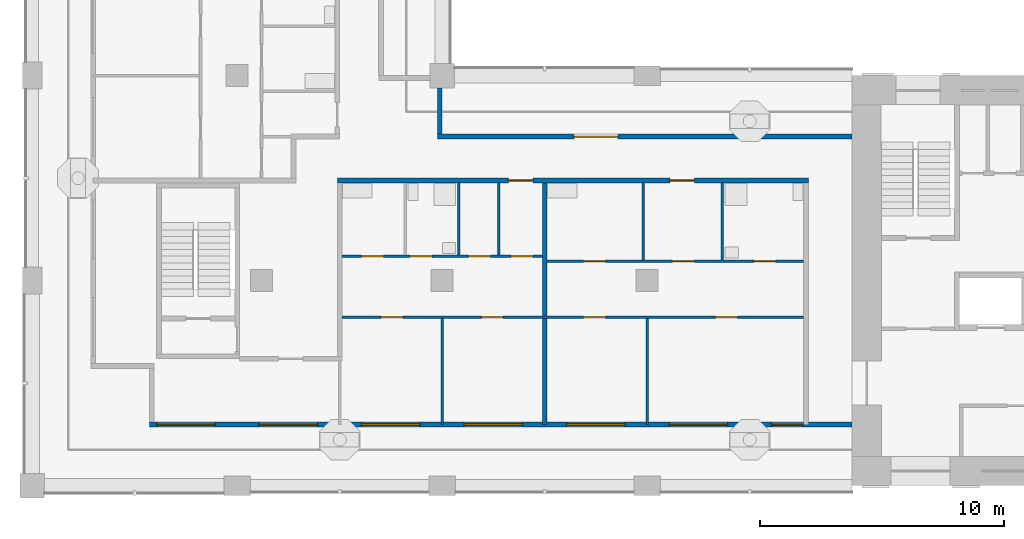
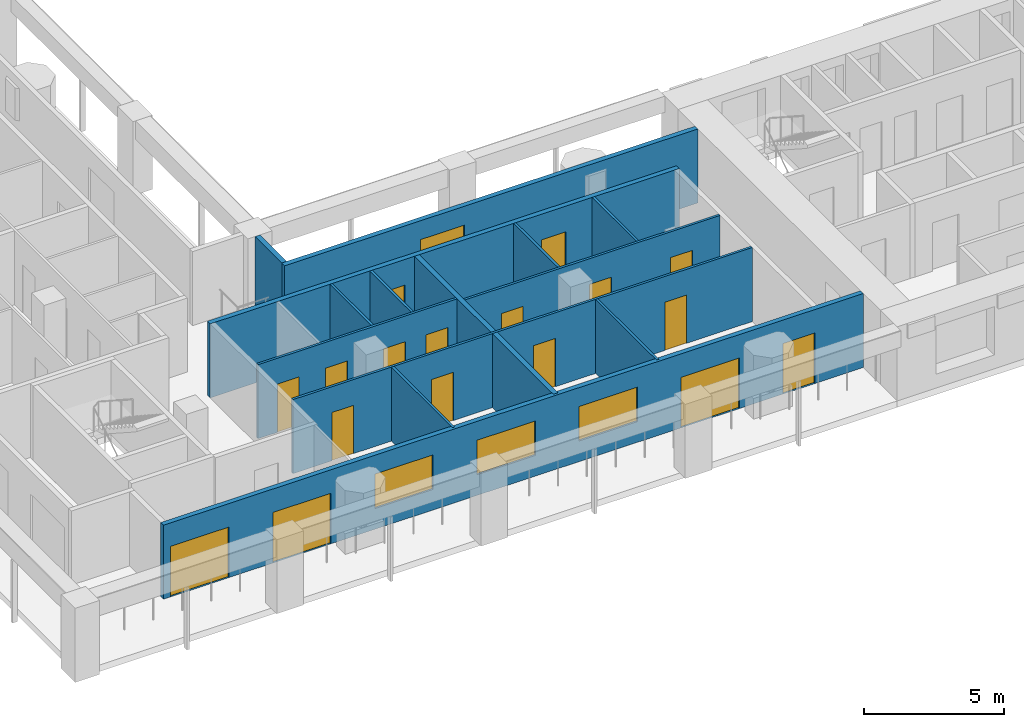
# One storey, part 2 of 12: 18 doors, 14 walls, 3 windows, 21 openings.
"""IFC4 building model written with IfcOpenShell, lengths in metres."""

from ifc_helpers import new_model, si_unit, direction, frame, frame_2d, origin, place, context, subcontext, project, spatial, rectangle, extrude, material, layer, layer_set, type_object, element, fill, save


model = new_model("IFC4")

# Units and contexts
model_context = context("Model", 3, precision=1e-05, world=origin(), true_north=direction((0.0, 1.0)))
body_context = subcontext(model_context, "Body", "Model", "MODEL_VIEW")
ifc_project = project(units=[si_unit("LENGTHUNIT", "METRE"), si_unit("AREAUNIT", "SQUARE_METRE"), si_unit("VOLUMEUNIT", "CUBIC_METRE"), si_unit("PLANEANGLEUNIT", "RADIAN"), si_unit("MASSUNIT", "GRAM", prefix="KILO")], contexts=[model_context])

# Site, building, storey
site_placement = place(None, origin())
site = spatial("IfcSite", under=ifc_project, at=site_placement, CompositionType="ELEMENT")
building_placement = place(site_placement, origin())
building = spatial("IfcBuilding", under=site, at=building_placement, Name="Vermilion Gate Residences", CompositionType="ELEMENT")
storey_placement = place(building_placement, frame((0.0, 0.0, 221.199951171875)))
storey = spatial("IfcBuildingStorey", under=building, at=storey_placement, Name="L57", CompositionType="ELEMENT", Elevation=221.199951171875)

# Wall, openings, doors, windows
ifc_material_1 = material(Name="Insulated steel stud wall with terracotta rainscreen", Category="masonry")
ifc_layer_1 = layer(ifc_material_1, 0.199951171875)
ifc_layer_set_1 = layer_set([ifc_layer_1], Name="EXTERNAL WALL 200 TERRACOTTA RAINSCREEN")
wall_type_1 = type_object("IfcWallType", Name="EXTERNAL WALL 200 TERRACOTTA RAINSCREEN", PredefinedType="SOLIDWALL", material=ifc_layer_set_1)
wall_1_placement = place(storey_placement, frame((13.199951171875, 10.89990234375, 0.0), z_axis=(0.0, 0.0, 1.0), x_axis=(1.0, 0.0, 0.0)))
wall_1 = element("IfcWall", 1, at=wall_1_placement, inside=storey, type_object=wall_type_1, Name="External wall", PredefinedType="SOLIDWALL", context=body_context, shape_type="SweptSolid", body=[
    extrude(rectangle(XDim=28.800048828125, YDim=0.199951171875, at=frame_2d((14.39990234375, 0.0))), origin(), (0.0, 0.0, 1.0), 3.219970703125),
])
opening_1_placement = place(wall_1_placement, frame((0.300048828125, 0.0, 0.0)))
opening_1 = element("IfcOpeningElement", 2, at=opening_1_placement, cuts=wall_1, Name="Opening DE57008", PredefinedType="OPENING", context=body_context, shape_type="SweptSolid", body=[
    extrude(rectangle(XDim=2.39990234375, YDim=2.199951171875, at=frame_2d((1.199951171875, 1.10009765625))), frame((0.0, 0.10986328125, 0.0), z_axis=(0.0, -1.0, 0.0), x_axis=(1.0, 0.0, 0.0)), (0.0, 0.0, 1.0), 0.219970703125),
])
opening_2_placement = place(wall_1_placement, frame((4.5, 0.0, 0.0)))
opening_2 = element("IfcOpeningElement", 3, at=opening_2_placement, cuts=wall_1, Name="Opening DE57009", PredefinedType="OPENING", context=body_context, shape_type="SweptSolid", body=[
    extrude(rectangle(XDim=2.39990234375, YDim=2.199951171875, at=frame_2d((1.199951171875, 1.10009765625))), frame((0.0, 0.10986328125, 0.0), z_axis=(0.0, -1.0, 0.0), x_axis=(1.0, 0.0, 0.0)), (0.0, 0.0, 1.0), 0.219970703125),
])
opening_3_placement = place(wall_1_placement, frame((8.699951171875, 0.0, 0.89990234375)))
opening_3 = element("IfcOpeningElement", 4, at=opening_3_placement, cuts=wall_1, Name="Opening WE57010", PredefinedType="OPENING", context=body_context, shape_type="SweptSolid", body=[
    extrude(rectangle(XDim=2.39990234375, YDim=1.5, at=frame_2d((1.199951171875, 0.75))), frame((0.0, 0.10986328125, 0.0), z_axis=(0.0, -1.0, 0.0), x_axis=(1.0, 0.0, 0.0)), (0.0, 0.0, 1.0), 0.219970703125),
])
opening_4_placement = place(wall_1_placement, frame((12.89990234375, 0.0, 0.89990234375)))
opening_4 = element("IfcOpeningElement", 5, at=opening_4_placement, cuts=wall_1, Name="Opening WE57011", PredefinedType="OPENING", context=body_context, shape_type="SweptSolid", body=[
    extrude(rectangle(XDim=2.39990234375, YDim=1.5, at=frame_2d((1.199951171875, 0.75))), frame((0.0, 0.10986328125, 0.0), z_axis=(0.0, -1.0, 0.0), x_axis=(1.0, 0.0, 0.0)), (0.0, 0.0, 1.0), 0.219970703125),
])
opening_5_placement = place(wall_1_placement, frame((17.10009765625, 0.0, 0.89990234375)))
opening_5 = element("IfcOpeningElement", 6, at=opening_5_placement, cuts=wall_1, Name="Opening WE57012", PredefinedType="OPENING", context=body_context, shape_type="SweptSolid", body=[
    extrude(rectangle(XDim=2.39990234375, YDim=1.5, at=frame_2d((1.199951171875, 0.75))), frame((0.0, 0.10986328125, 0.0), z_axis=(0.0, -1.0, 0.0), x_axis=(1.0, 0.0, 0.0)), (0.0, 0.0, 1.0), 0.219970703125),
])
opening_6_placement = place(wall_1_placement, frame((21.300048828125, 0.0, 0.0)))
opening_6 = element("IfcOpeningElement", 7, at=opening_6_placement, cuts=wall_1, Name="Opening DE57013", PredefinedType="OPENING", context=body_context, shape_type="SweptSolid", body=[
    extrude(rectangle(XDim=2.39990234375, YDim=2.199951171875, at=frame_2d((1.199951171875, 1.10009765625))), frame((0.0, 0.10986328125, 0.0), z_axis=(0.0, -1.0, 0.0), x_axis=(1.0, 0.0, 0.0)), (0.0, 0.0, 1.0), 0.219970703125),
])
opening_7_placement = place(wall_1_placement, frame((25.5, 0.0, 0.0)))
opening_7 = element("IfcOpeningElement", 8, at=opening_7_placement, cuts=wall_1, Name="Opening DE57014", PredefinedType="OPENING", context=body_context, shape_type="SweptSolid", body=[
    extrude(rectangle(XDim=1.300048828125, YDim=2.199951171875, at=frame_2d((0.64990234375, 1.10009765625))), frame((0.0, 0.10986328125, 0.0), z_axis=(0.0, -1.0, 0.0), x_axis=(1.0, 0.0, 0.0)), (0.0, 0.0, 1.0), 0.219970703125),
])
ifc_material_2 = material(Name="Aluminium and clear glass", Category="aluminium")
door_type_1 = type_object("IfcDoorType", Name="SLIDING GLAZED DOOR 1300 X 2200", OperationType="DOUBLE_DOOR_SLIDING", PredefinedType="DOOR", material=ifc_material_2)
door_1_placement = place(opening_7_placement, origin())
door_1 = element("IfcDoor", 9, at=door_1_placement, inside=storey, type_object=door_type_1, Name="Loggia sliding door", OperationType="DOUBLE_DOOR_SLIDING", OverallHeight=2.199951171875, OverallWidth=1.300048828125, PredefinedType="DOOR", context=body_context, shape_type="SweptSolid", body=[
    extrude(rectangle(XDim=1.300048828125, YDim=2.199951171875, at=frame_2d((0.64990234375, 1.10009765625))), frame((0.0, 0.02490234375, 0.0), z_axis=(0.0, -1.0, 0.0), x_axis=(1.0, 0.0, 0.0)), (0.0, 0.0, 1.0), 0.050048828125),
])
fill(opening_7, door_1)
ifc_material_3 = material(Name="Aluminium and clear glass", Category="aluminium")
door_type_2 = type_object("IfcDoorType", Name="SLIDING GLAZED DOOR 2400 X 2200", OperationType="DOUBLE_DOOR_SLIDING", PredefinedType="DOOR", material=ifc_material_3)
door_2_placement = place(opening_1_placement, origin())
door_2 = element("IfcDoor", 10, at=door_2_placement, inside=storey, type_object=door_type_2, Name="Loggia sliding door", OperationType="DOUBLE_DOOR_SLIDING", OverallHeight=2.199951171875, OverallWidth=2.39990234375, PredefinedType="DOOR", context=body_context, shape_type="SweptSolid", body=[
    extrude(rectangle(XDim=2.39990234375, YDim=2.199951171875, at=frame_2d((1.199951171875, 1.10009765625))), frame((0.0, 0.02490234375, 0.0), z_axis=(0.0, -1.0, 0.0), x_axis=(1.0, 0.0, 0.0)), (0.0, 0.0, 1.0), 0.050048828125),
])
fill(opening_1, door_2)
door_3_placement = place(opening_2_placement, origin())
door_3 = element("IfcDoor", 11, at=door_3_placement, inside=storey, type_object=door_type_2, Name="Loggia sliding door", OperationType="DOUBLE_DOOR_SLIDING", OverallHeight=2.199951171875, OverallWidth=2.39990234375, PredefinedType="DOOR", context=body_context, shape_type="SweptSolid", body=[
    extrude(rectangle(XDim=2.39990234375, YDim=2.199951171875, at=frame_2d((1.199951171875, 1.10009765625))), frame((0.0, 0.02490234375, 0.0), z_axis=(0.0, -1.0, 0.0), x_axis=(1.0, 0.0, 0.0)), (0.0, 0.0, 1.0), 0.050048828125),
])
fill(opening_2, door_3)
door_4_placement = place(opening_6_placement, origin())
door_4 = element("IfcDoor", 12, at=door_4_placement, inside=storey, type_object=door_type_2, Name="Loggia sliding door", OperationType="DOUBLE_DOOR_SLIDING", OverallHeight=2.199951171875, OverallWidth=2.39990234375, PredefinedType="DOOR", context=body_context, shape_type="SweptSolid", body=[
    extrude(rectangle(XDim=2.39990234375, YDim=2.199951171875, at=frame_2d((1.199951171875, 1.10009765625))), frame((0.0, 0.02490234375, 0.0), z_axis=(0.0, -1.0, 0.0), x_axis=(1.0, 0.0, 0.0)), (0.0, 0.0, 1.0), 0.050048828125),
])
fill(opening_6, door_4)
ifc_material_4 = material(Name="Aluminium and clear glass", Category="aluminium")
window_type = type_object("IfcWindowType", Name="WINDOW 2400 X 1500", PartitioningType="SINGLE_PANEL", PredefinedType="WINDOW", material=ifc_material_4)
window_1_placement = place(opening_3_placement, origin())
window_1 = element("IfcWindow", 13, at=window_1_placement, inside=storey, type_object=window_type, Name="Window", OverallHeight=1.5, OverallWidth=2.39990234375, PartitioningType="SINGLE_PANEL", PredefinedType="WINDOW", context=body_context, shape_type="SweptSolid", body=[
    extrude(rectangle(XDim=2.39990234375, YDim=1.5, at=frame_2d((1.199951171875, 0.75))), frame((0.0, 0.030029296875, 0.0), z_axis=(0.0, -1.0, 0.0), x_axis=(1.0, 0.0, 0.0)), (0.0, 0.0, 1.0), 0.06005859375),
])
fill(opening_3, window_1)
window_2_placement = place(opening_4_placement, origin())
window_2 = element("IfcWindow", 14, at=window_2_placement, inside=storey, type_object=window_type, Name="Window", OverallHeight=1.5, OverallWidth=2.39990234375, PartitioningType="SINGLE_PANEL", PredefinedType="WINDOW", context=body_context, shape_type="SweptSolid", body=[
    extrude(rectangle(XDim=2.39990234375, YDim=1.5, at=frame_2d((1.199951171875, 0.75))), frame((0.0, 0.030029296875, 0.0), z_axis=(0.0, -1.0, 0.0), x_axis=(1.0, 0.0, 0.0)), (0.0, 0.0, 1.0), 0.06005859375),
])
fill(opening_4, window_2)
window_3_placement = place(opening_5_placement, origin())
window_3 = element("IfcWindow", 15, at=window_3_placement, inside=storey, type_object=window_type, Name="Window", OverallHeight=1.5, OverallWidth=2.39990234375, PartitioningType="SINGLE_PANEL", PredefinedType="WINDOW", context=body_context, shape_type="SweptSolid", body=[
    extrude(rectangle(XDim=2.39990234375, YDim=1.5, at=frame_2d((1.199951171875, 0.75))), frame((0.0, 0.030029296875, 0.0), z_axis=(0.0, -1.0, 0.0), x_axis=(1.0, 0.0, 0.0)), (0.0, 0.0, 1.0), 0.06005859375),
])
fill(opening_5, window_3)

# Wall, opening, door
wall_2_placement = place(storey_placement, frame((42.0, 22.699951171875, 0.0), z_axis=(0.0, 0.0, 1.0), x_axis=(-1.0, 0.0, 0.0)))
wall_2 = element("IfcWall", 16, at=wall_2_placement, inside=storey, type_object=wall_type_1, Name="External wall", PredefinedType="SOLIDWALL", context=body_context, shape_type="SweptSolid", body=[
    extrude(rectangle(XDim=17.0, YDim=0.199951171875, at=frame_2d((8.5, 0.0))), origin(), (0.0, 0.0, 1.0), 3.219970703125),
])
opening_8_placement = place(wall_2_placement, frame((9.60009765625, 0.0, 0.0)))
opening_8 = element("IfcOpeningElement", 17, at=opening_8_placement, cuts=wall_2, Name="Opening DE57015", PredefinedType="OPENING", context=body_context, shape_type="SweptSolid", body=[
    extrude(rectangle(XDim=1.800048828125, YDim=2.39990234375, at=frame_2d((0.89990234375, 1.199951171875))), frame((0.0, 0.10986328125, 0.0), z_axis=(0.0, -1.0, 0.0), x_axis=(1.0, 0.0, 0.0)), (0.0, 0.0, 1.0), 0.219970703125),
])
ifc_material_5 = material(Name="Aluminium and clear glass", Category="aluminium")
door_type_3 = type_object("IfcDoorType", Name="GLAZED EXTERNAL DOOR 1800 X 2400", OperationType="DOUBLE_DOOR_SINGLE_SWING", PredefinedType="DOOR", material=ifc_material_5)
door_5_placement = place(opening_8_placement, frame((1.800048828125, 0.0, 0.0), z_axis=(0.0, 0.0, 1.0), x_axis=(-1.0, 0.0, 0.0)))
door_5 = element("IfcDoor", 18, at=door_5_placement, inside=storey, type_object=door_type_3, Name="Gallery door", OperationType="DOUBLE_DOOR_SINGLE_SWING", OverallHeight=2.39990234375, OverallWidth=1.800048828125, PredefinedType="DOOR", context=body_context, shape_type="SweptSolid", body=[
    extrude(rectangle(XDim=1.800048828125, YDim=2.39990234375, at=frame_2d((0.89990234375, 1.199951171875))), frame((0.0, 0.02490234375, 0.0), z_axis=(0.0, -1.0, 0.0), x_axis=(1.0, 0.0, 0.0)), (0.0, 0.0, 1.0), 0.050048828125),
])
fill(opening_8, door_5)

# Wall
wall_3_placement = place(storey_placement, frame((25.10009765625, 22.800048828125, 0.0), z_axis=(0.0, 0.0, 1.0), x_axis=(0.0, 1.0, 0.0)))
element("IfcWall", 19, at=wall_3_placement, inside=storey, type_object=wall_type_1, Name="External wall", PredefinedType="SOLIDWALL", context=body_context, shape_type="SweptSolid", body=[
    extrude(rectangle(XDim=1.89990234375, YDim=0.199951171875, at=frame_2d((0.949951171875, 0.0))), origin(), (0.0, 0.0, 1.0), 3.219970703125),
])

# Wall, openings, doors
ifc_material_6 = material(Name="Plasterboard on steel studs", Category="steel")
ifc_layer_2 = layer(ifc_material_6, 0.10009765625)
ifc_layer_set_2 = layer_set([ifc_layer_2], Name="PARTITION 100")
wall_type_2 = type_object("IfcWallType", Name="PARTITION 100", PredefinedType="PARTITIONING", material=ifc_layer_set_2)
wall_4_placement = place(storey_placement, frame((21.10009765625, 15.300048828125, 0.0), z_axis=(0.0, 0.0, 1.0), x_axis=(1.0, 0.0, 0.0)))
wall_4 = element("IfcWall", 20, at=wall_4_placement, inside=storey, type_object=wall_type_2, Name="Partition", PredefinedType="PARTITIONING", context=body_context, shape_type="SweptSolid", body=[
    extrude(rectangle(XDim=18.89990234375, YDim=0.10009765625, at=frame_2d((9.449951171875, 0.0))), origin(), (0.0, 0.0, 1.0), 3.219970703125),
])
opening_9_placement = place(wall_4_placement, frame((1.60009765625, 0.0, 0.0)))
opening_9 = element("IfcOpeningElement", 21, at=opening_9_placement, cuts=wall_4, Name="Opening DA55002", PredefinedType="OPENING", context=body_context, shape_type="SweptSolid", body=[
    extrude(rectangle(XDim=0.89990234375, YDim=2.10009765625, at=frame_2d((0.449951171875, 1.050048828125))), frame((0.0, 0.06005859375, 0.0), z_axis=(0.0, -1.0, 0.0), x_axis=(1.0, 0.0, 0.0)), (0.0, 0.0, 1.0), 0.1201171875),
])
opening_10_placement = place(wall_4_placement, frame((5.699951171875, 0.0, 0.0)))
opening_10 = element("IfcOpeningElement", 22, at=opening_10_placement, cuts=wall_4, Name="Opening DA55003", PredefinedType="OPENING", context=body_context, shape_type="SweptSolid", body=[
    extrude(rectangle(XDim=0.89990234375, YDim=2.10009765625, at=frame_2d((0.449951171875, 1.050048828125))), frame((0.0, 0.06005859375, 0.0), z_axis=(0.0, -1.0, 0.0), x_axis=(1.0, 0.0, 0.0)), (0.0, 0.0, 1.0), 0.1201171875),
])
opening_11_placement = place(wall_4_placement, frame((9.89990234375, 0.0, 0.0)))
opening_11 = element("IfcOpeningElement", 23, at=opening_11_placement, cuts=wall_4, Name="Opening DA55004", PredefinedType="OPENING", context=body_context, shape_type="SweptSolid", body=[
    extrude(rectangle(XDim=0.89990234375, YDim=2.10009765625, at=frame_2d((0.449951171875, 1.050048828125))), frame((0.0, 0.06005859375, 0.0), z_axis=(0.0, -1.0, 0.0), x_axis=(1.0, 0.0, 0.0)), (0.0, 0.0, 1.0), 0.1201171875),
])
opening_12_placement = place(wall_4_placement, frame((15.300048828125, 0.0, 0.0)))
opening_12 = element("IfcOpeningElement", 24, at=opening_12_placement, cuts=wall_4, Name="Opening DA55005", PredefinedType="OPENING", context=body_context, shape_type="SweptSolid", body=[
    extrude(rectangle(XDim=0.89990234375, YDim=2.10009765625, at=frame_2d((0.449951171875, 1.050048828125))), frame((0.0, 0.06005859375, 0.0), z_axis=(0.0, -1.0, 0.0), x_axis=(1.0, 0.0, 0.0)), (0.0, 0.0, 1.0), 0.1201171875),
])
ifc_material_7 = material(Name="Timber", Category="wood")
door_type_4 = type_object("IfcDoorType", Name="INTERIOR DOOR 900 X 2100", OperationType="SINGLE_SWING_LEFT", PredefinedType="DOOR", material=ifc_material_7)
door_6_placement = place(opening_9_placement, frame((0.89990234375, 0.0, 0.0), z_axis=(0.0, 0.0, 1.0), x_axis=(-1.0, 0.0, 0.0)))
door_6 = element("IfcDoor", 25, at=door_6_placement, inside=storey, type_object=door_type_4, Name="Interior door", OperationType="SINGLE_SWING_LEFT", OverallHeight=2.10009765625, OverallWidth=0.89990234375, PredefinedType="DOOR", context=body_context, shape_type="SweptSolid", body=[
    extrude(rectangle(XDim=0.89990234375, YDim=2.10009765625, at=frame_2d((0.449951171875, 1.050048828125))), frame((0.0, 0.02490234375, 0.0), z_axis=(0.0, -1.0, 0.0), x_axis=(1.0, 0.0, 0.0)), (0.0, 0.0, 1.0), 0.050048828125),
])
fill(opening_9, door_6)
door_7_placement = place(opening_10_placement, frame((0.89990234375, 0.0, 0.0), z_axis=(0.0, 0.0, 1.0), x_axis=(-1.0, 0.0, 0.0)))
door_7 = element("IfcDoor", 26, at=door_7_placement, inside=storey, type_object=door_type_4, Name="Interior door", OperationType="SINGLE_SWING_RIGHT", OverallHeight=2.10009765625, OverallWidth=0.89990234375, PredefinedType="DOOR", context=body_context, shape_type="SweptSolid", body=[
    extrude(rectangle(XDim=0.89990234375, YDim=2.10009765625, at=frame_2d((0.449951171875, 1.050048828125))), frame((0.0, 0.02490234375, 0.0), z_axis=(0.0, -1.0, 0.0), x_axis=(1.0, 0.0, 0.0)), (0.0, 0.0, 1.0), 0.050048828125),
])
fill(opening_10, door_7)
door_8_placement = place(opening_11_placement, frame((0.89990234375, 0.0, 0.0), z_axis=(0.0, 0.0, 1.0), x_axis=(-1.0, 0.0, 0.0)))
door_8 = element("IfcDoor", 27, at=door_8_placement, inside=storey, type_object=door_type_4, Name="Interior door", OperationType="SINGLE_SWING_RIGHT", OverallHeight=2.10009765625, OverallWidth=0.89990234375, PredefinedType="DOOR", context=body_context, shape_type="SweptSolid", body=[
    extrude(rectangle(XDim=0.89990234375, YDim=2.10009765625, at=frame_2d((0.449951171875, 1.050048828125))), frame((0.0, 0.02490234375, 0.0), z_axis=(0.0, -1.0, 0.0), x_axis=(1.0, 0.0, 0.0)), (0.0, 0.0, 1.0), 0.050048828125),
])
fill(opening_11, door_8)
door_9_placement = place(opening_12_placement, frame((0.89990234375, 0.0, 0.0), z_axis=(0.0, 0.0, 1.0), x_axis=(-1.0, 0.0, 0.0)))
door_9 = element("IfcDoor", 28, at=door_9_placement, inside=storey, type_object=door_type_4, Name="Interior door", OperationType="SINGLE_SWING_LEFT", OverallHeight=2.10009765625, OverallWidth=0.89990234375, PredefinedType="DOOR", context=body_context, shape_type="SweptSolid", body=[
    extrude(rectangle(XDim=0.89990234375, YDim=2.10009765625, at=frame_2d((0.449951171875, 1.050048828125))), frame((0.0, 0.02490234375, 0.0), z_axis=(0.0, -1.0, 0.0), x_axis=(1.0, 0.0, 0.0)), (0.0, 0.0, 1.0), 0.050048828125),
])
fill(opening_12, door_9)

wall_5_placement = place(storey_placement, frame((29.5, 17.60009765625, 0.0), z_axis=(0.0, 0.0, 1.0), x_axis=(1.0, 0.0, 0.0)))
wall_5 = element("IfcWall", 29, at=wall_5_placement, inside=storey, type_object=wall_type_2, Name="Partition", PredefinedType="PARTITIONING", context=body_context, shape_type="SweptSolid", body=[
    extrude(rectangle(XDim=10.5, YDim=0.10009765625, at=frame_2d((5.25, 0.0))), origin(), (0.0, 0.0, 1.0), 3.219970703125),
])
opening_13_placement = place(wall_5_placement, frame((5.133056640625, 0.0, 0.0)))
opening_13 = element("IfcOpeningElement", 30, at=opening_13_placement, cuts=wall_5, Name="Opening DA55006", PredefinedType="OPENING", context=body_context, shape_type="SweptSolid", body=[
    extrude(rectangle(XDim=0.89990234375, YDim=2.10009765625, at=frame_2d((0.449951171875, 1.050048828125))), frame((0.0, 0.06005859375, 0.0), z_axis=(0.0, -1.0, 0.0), x_axis=(1.0, 0.0, 0.0)), (0.0, 0.0, 1.0), 0.1201171875),
])
opening_14_placement = place(wall_5_placement, frame((1.5, 0.0, 0.0)))
opening_14 = element("IfcOpeningElement", 31, at=opening_14_placement, cuts=wall_5, Name="Opening DA55007", PredefinedType="OPENING", context=body_context, shape_type="SweptSolid", body=[
    extrude(rectangle(XDim=0.89990234375, YDim=2.10009765625, at=frame_2d((0.449951171875, 1.050048828125))), frame((0.0, 0.06005859375, 0.0), z_axis=(0.0, -1.0, 0.0), x_axis=(1.0, 0.0, 0.0)), (0.0, 0.0, 1.0), 0.1201171875),
])
opening_15_placement = place(wall_5_placement, frame((8.467041015625, 0.0, 0.0)))
opening_15 = element("IfcOpeningElement", 32, at=opening_15_placement, cuts=wall_5, Name="Opening DA55008", PredefinedType="OPENING", context=body_context, shape_type="SweptSolid", body=[
    extrude(rectangle(XDim=0.89990234375, YDim=2.10009765625, at=frame_2d((0.449951171875, 1.050048828125))), frame((0.0, 0.06005859375, 0.0), z_axis=(0.0, -1.0, 0.0), x_axis=(1.0, 0.0, 0.0)), (0.0, 0.0, 1.0), 0.1201171875),
])
door_10_placement = place(opening_13_placement, origin())
door_10 = element("IfcDoor", 33, at=door_10_placement, inside=storey, type_object=door_type_4, Name="Interior door", OperationType="SINGLE_SWING_RIGHT", OverallHeight=2.10009765625, OverallWidth=0.89990234375, PredefinedType="DOOR", context=body_context, shape_type="SweptSolid", body=[
    extrude(rectangle(XDim=0.89990234375, YDim=2.10009765625, at=frame_2d((0.449951171875, 1.050048828125))), frame((0.0, 0.02490234375, 0.0), z_axis=(0.0, -1.0, 0.0), x_axis=(1.0, 0.0, 0.0)), (0.0, 0.0, 1.0), 0.050048828125),
])
fill(opening_13, door_10)
door_11_placement = place(opening_14_placement, origin())
door_11 = element("IfcDoor", 34, at=door_11_placement, inside=storey, type_object=door_type_4, Name="Interior door", OperationType="SINGLE_SWING_RIGHT", OverallHeight=2.10009765625, OverallWidth=0.89990234375, PredefinedType="DOOR", context=body_context, shape_type="SweptSolid", body=[
    extrude(rectangle(XDim=0.89990234375, YDim=2.10009765625, at=frame_2d((0.449951171875, 1.050048828125))), frame((0.0, 0.02490234375, 0.0), z_axis=(0.0, -1.0, 0.0), x_axis=(1.0, 0.0, 0.0)), (0.0, 0.0, 1.0), 0.050048828125),
])
fill(opening_14, door_11)
door_12_placement = place(opening_15_placement, origin())
door_12 = element("IfcDoor", 35, at=door_12_placement, inside=storey, type_object=door_type_4, Name="Interior door", OperationType="SINGLE_SWING_LEFT", OverallHeight=2.10009765625, OverallWidth=0.89990234375, PredefinedType="DOOR", context=body_context, shape_type="SweptSolid", body=[
    extrude(rectangle(XDim=0.89990234375, YDim=2.10009765625, at=frame_2d((0.449951171875, 1.050048828125))), frame((0.0, 0.02490234375, 0.0), z_axis=(0.0, -1.0, 0.0), x_axis=(1.0, 0.0, 0.0)), (0.0, 0.0, 1.0), 0.050048828125),
])
fill(opening_15, door_12)

wall_6_placement = place(storey_placement, frame((21.10009765625, 17.800048828125, 0.0), z_axis=(0.0, 0.0, 1.0), x_axis=(1.0, 0.0, 0.0)))
wall_6 = element("IfcWall", 36, at=wall_6_placement, inside=storey, type_object=wall_type_2, Name="Partition", PredefinedType="PARTITIONING", context=body_context, shape_type="SweptSolid", body=[
    extrude(rectangle(XDim=8.199951171875, YDim=0.10009765625, at=frame_2d((4.10009765625, 0.0))), origin(), (0.0, 0.0, 1.0), 3.219970703125),
])
opening_16_placement = place(wall_6_placement, frame((6.916015625, 0.0, 0.0)))
opening_16 = element("IfcOpeningElement", 37, at=opening_16_placement, cuts=wall_6, Name="Opening DA55009", PredefinedType="OPENING", context=body_context, shape_type="SweptSolid", body=[
    extrude(rectangle(XDim=0.89990234375, YDim=2.10009765625, at=frame_2d((0.449951171875, 1.050048828125))), frame((0.0, 0.06005859375, 0.0), z_axis=(0.0, -1.0, 0.0), x_axis=(1.0, 0.0, 0.0)), (0.0, 0.0, 1.0), 0.1201171875),
])
opening_17_placement = place(wall_6_placement, frame((0.800048828125, 0.0, 0.0)))
opening_17 = element("IfcOpeningElement", 38, at=opening_17_placement, cuts=wall_6, Name="Opening DA55010", PredefinedType="OPENING", context=body_context, shape_type="SweptSolid", body=[
    extrude(rectangle(XDim=0.89990234375, YDim=2.10009765625, at=frame_2d((0.449951171875, 1.050048828125))), frame((0.0, 0.06005859375, 0.0), z_axis=(0.0, -1.0, 0.0), x_axis=(1.0, 0.0, 0.0)), (0.0, 0.0, 1.0), 0.1201171875),
])
opening_18_placement = place(wall_6_placement, frame((2.783935546875, 0.0, 0.0)))
opening_18 = element("IfcOpeningElement", 39, at=opening_18_placement, cuts=wall_6, Name="Opening DA55011", PredefinedType="OPENING", context=body_context, shape_type="SweptSolid", body=[
    extrude(rectangle(XDim=0.89990234375, YDim=2.10009765625, at=frame_2d((0.449951171875, 1.050048828125))), frame((0.0, 0.06005859375, 0.0), z_axis=(0.0, -1.0, 0.0), x_axis=(1.0, 0.0, 0.0)), (0.0, 0.0, 1.0), 0.1201171875),
])
opening_19_placement = place(wall_6_placement, frame((5.174072265625, 0.0, 0.0)))
opening_19 = element("IfcOpeningElement", 40, at=opening_19_placement, cuts=wall_6, Name="Opening DA55012", PredefinedType="OPENING", context=body_context, shape_type="SweptSolid", body=[
    extrude(rectangle(XDim=0.89990234375, YDim=2.10009765625, at=frame_2d((0.449951171875, 1.050048828125))), frame((0.0, 0.06005859375, 0.0), z_axis=(0.0, -1.0, 0.0), x_axis=(1.0, 0.0, 0.0)), (0.0, 0.0, 1.0), 0.1201171875),
])
door_13_placement = place(opening_16_placement, origin())
door_13 = element("IfcDoor", 41, at=door_13_placement, inside=storey, type_object=door_type_4, Name="Interior door", OperationType="SINGLE_SWING_RIGHT", OverallHeight=2.10009765625, OverallWidth=0.89990234375, PredefinedType="DOOR", context=body_context, shape_type="SweptSolid", body=[
    extrude(rectangle(XDim=0.89990234375, YDim=2.10009765625, at=frame_2d((0.449951171875, 1.050048828125))), frame((0.0, 0.02490234375, 0.0), z_axis=(0.0, -1.0, 0.0), x_axis=(1.0, 0.0, 0.0)), (0.0, 0.0, 1.0), 0.050048828125),
])
fill(opening_16, door_13)
door_14_placement = place(opening_17_placement, origin())
door_14 = element("IfcDoor", 42, at=door_14_placement, inside=storey, type_object=door_type_4, Name="Interior door", OperationType="SINGLE_SWING_LEFT", OverallHeight=2.10009765625, OverallWidth=0.89990234375, PredefinedType="DOOR", context=body_context, shape_type="SweptSolid", body=[
    extrude(rectangle(XDim=0.89990234375, YDim=2.10009765625, at=frame_2d((0.449951171875, 1.050048828125))), frame((0.0, 0.02490234375, 0.0), z_axis=(0.0, -1.0, 0.0), x_axis=(1.0, 0.0, 0.0)), (0.0, 0.0, 1.0), 0.050048828125),
])
fill(opening_17, door_14)
door_15_placement = place(opening_18_placement, origin())
door_15 = element("IfcDoor", 43, at=door_15_placement, inside=storey, type_object=door_type_4, Name="Interior door", OperationType="SINGLE_SWING_LEFT", OverallHeight=2.10009765625, OverallWidth=0.89990234375, PredefinedType="DOOR", context=body_context, shape_type="SweptSolid", body=[
    extrude(rectangle(XDim=0.89990234375, YDim=2.10009765625, at=frame_2d((0.449951171875, 1.050048828125))), frame((0.0, 0.02490234375, 0.0), z_axis=(0.0, -1.0, 0.0), x_axis=(1.0, 0.0, 0.0)), (0.0, 0.0, 1.0), 0.050048828125),
])
fill(opening_18, door_15)
door_16_placement = place(opening_19_placement, origin())
door_16 = element("IfcDoor", 44, at=door_16_placement, inside=storey, type_object=door_type_4, Name="Interior door", OperationType="SINGLE_SWING_RIGHT", OverallHeight=2.10009765625, OverallWidth=0.89990234375, PredefinedType="DOOR", context=body_context, shape_type="SweptSolid", body=[
    extrude(rectangle(XDim=0.89990234375, YDim=2.10009765625, at=frame_2d((0.449951171875, 1.050048828125))), frame((0.0, 0.02490234375, 0.0), z_axis=(0.0, -1.0, 0.0), x_axis=(1.0, 0.0, 0.0)), (0.0, 0.0, 1.0), 0.050048828125),
])
fill(opening_19, door_16)

# Walls
wall_7_placement = place(storey_placement, frame((25.199951171875, 10.89990234375, 0.0), z_axis=(0.0, 0.0, 1.0), x_axis=(0.0, 1.0, 0.0)))
element("IfcWall", 45, at=wall_7_placement, inside=storey, type_object=wall_type_2, Name="Partition", PredefinedType="PARTITIONING", context=body_context, shape_type="SweptSolid", body=[
    extrude(rectangle(XDim=4.35009765625, YDim=0.10009765625, at=frame_2d((2.175048828125, 0.0))), origin(), (0.0, 0.0, 1.0), 3.219970703125),
])
for number, where, z_axis, x_axis, name in (
    (46, (25.8740234375, 17.85009765625, 0.0), (0.0, 0.0, 1.0), (0.0, 1.0, 0.0), "Partition"),
    (47, (27.51611328125, 17.85009765625, 0.0), (0.0, 0.0, 1.0), (0.0, 1.0, 0.0), "Partition"),
):
    element("IfcWall", number, at=place(storey_placement, frame(where, z_axis=z_axis, x_axis=x_axis)), inside=storey, type_object=wall_type_2, Name=name, PredefinedType="PARTITIONING", context=body_context, shape_type="SweptSolid", body=[
        extrude(rectangle(XDim=2.949951171875, YDim=0.10009765625, at=frame_2d((1.47509765625, 0.0))), origin(), (0.0, 0.0, 1.0), 3.219970703125),
    ])
wall_8_placement = place(storey_placement, frame((33.43310546875, 17.64990234375, 0.0), z_axis=(0.0, 0.0, 1.0), x_axis=(0.0, 1.0, 0.0)))
element("IfcWall", 48, at=wall_8_placement, inside=storey, type_object=wall_type_2, Name="Partition", PredefinedType="PARTITIONING", context=body_context, shape_type="SweptSolid", body=[
    extrude(rectangle(XDim=3.150146484375, YDim=0.10009765625, at=frame_2d((1.5751953125, 0.0))), origin(), (0.0, 0.0, 1.0), 3.219970703125),
])
wall_9_placement = place(storey_placement, frame((33.60009765625, 10.89990234375, 0.0), z_axis=(0.0, 0.0, 1.0), x_axis=(0.0, 1.0, 0.0)))
element("IfcWall", 49, at=wall_9_placement, inside=storey, type_object=wall_type_2, Name="Partition", PredefinedType="PARTITIONING", context=body_context, shape_type="SweptSolid", body=[
    extrude(rectangle(XDim=4.35009765625, YDim=0.10009765625, at=frame_2d((2.175048828125, 0.0))), origin(), (0.0, 0.0, 1.0), 3.219970703125),
])
wall_10_placement = place(storey_placement, frame((36.6669921875, 17.64990234375, 0.0), z_axis=(0.0, 0.0, 1.0), x_axis=(0.0, 1.0, 0.0)))
element("IfcWall", 50, at=wall_10_placement, inside=storey, type_object=wall_type_2, Name="Partition", PredefinedType="PARTITIONING", context=body_context, shape_type="SweptSolid", body=[
    extrude(rectangle(XDim=3.150146484375, YDim=0.10009765625, at=frame_2d((1.5751953125, 0.0))), origin(), (0.0, 0.0, 1.0), 3.219970703125),
])

# Wall, openings, doors
ifc_material_8 = material(Name="Fire-rated plasterboard on steel studs", Category="steel")
ifc_layer_3 = layer(ifc_material_8, 0.199951171875)
ifc_layer_set_3 = layer_set([ifc_layer_3], Name="PARTY WALL 200 EI 120")
wall_type_3 = type_object("IfcWallType", Name="PARTY WALL 200 EI 120", PredefinedType="PARTITIONING", material=ifc_layer_set_3)
wall_11_placement = place(storey_placement, frame((20.89990234375, 20.89990234375, 0.0), z_axis=(0.0, 0.0, 1.0), x_axis=(1.0, 0.0, 0.0)))
wall_11 = element("IfcWall", 51, at=wall_11_placement, inside=storey, type_object=wall_type_3, Name="Party and corridor wall", PredefinedType="PARTITIONING", context=body_context, shape_type="SweptSolid", body=[
    extrude(rectangle(XDim=19.300048828125, YDim=0.199951171875, at=frame_2d((9.64990234375, 0.0))), origin(), (0.0, 0.0, 1.0), 3.219970703125),
])
opening_20_placement = place(wall_11_placement, frame((7.01611328125, 0.0, 0.0)))
opening_20 = element("IfcOpeningElement", 52, at=opening_20_placement, cuts=wall_11, Name="Opening DA55013", PredefinedType="OPENING", context=body_context, shape_type="SweptSolid", body=[
    extrude(rectangle(XDim=1.0, YDim=2.10009765625, at=frame_2d((0.5, 1.050048828125))), frame((0.0, 0.10986328125, 0.0), z_axis=(0.0, -1.0, 0.0), x_axis=(1.0, 0.0, 0.0)), (0.0, 0.0, 1.0), 0.219970703125),
])
opening_21_placement = place(wall_11_placement, frame((13.633056640625, 0.0, 0.0)))
opening_21 = element("IfcOpeningElement", 53, at=opening_21_placement, cuts=wall_11, Name="Opening DA55014", PredefinedType="OPENING", context=body_context, shape_type="SweptSolid", body=[
    extrude(rectangle(XDim=1.0, YDim=2.10009765625, at=frame_2d((0.5, 1.050048828125))), frame((0.0, 0.10986328125, 0.0), z_axis=(0.0, -1.0, 0.0), x_axis=(1.0, 0.0, 0.0)), (0.0, 0.0, 1.0), 0.219970703125),
])
ifc_material_9 = material(Name="Steel", Category="steel")
door_type_5 = type_object("IfcDoorType", Name="ENTRANCE DOOR 1000 X 2100 FD30", OperationType="SINGLE_SWING_LEFT", PredefinedType="DOOR", material=ifc_material_9)
door_17_placement = place(opening_20_placement, frame((1.0, 0.0, 0.0), z_axis=(0.0, 0.0, 1.0), x_axis=(-1.0, 0.0, 0.0)))
door_17 = element("IfcDoor", 54, at=door_17_placement, inside=storey, type_object=door_type_5, Name="Entrance door", OperationType="SINGLE_SWING_RIGHT", OverallHeight=2.10009765625, OverallWidth=1.0, PredefinedType="DOOR", context=body_context, shape_type="SweptSolid", body=[
    extrude(rectangle(XDim=1.0, YDim=2.10009765625, at=frame_2d((0.5, 1.050048828125))), frame((0.0, 0.02490234375, 0.0), z_axis=(0.0, -1.0, 0.0), x_axis=(1.0, 0.0, 0.0)), (0.0, 0.0, 1.0), 0.050048828125),
])
fill(opening_20, door_17)
door_18_placement = place(opening_21_placement, frame((1.0, 0.0, 0.0), z_axis=(0.0, 0.0, 1.0), x_axis=(-1.0, 0.0, 0.0)))
door_18 = element("IfcDoor", 55, at=door_18_placement, inside=storey, type_object=door_type_5, Name="Entrance door", OperationType="SINGLE_SWING_RIGHT", OverallHeight=2.10009765625, OverallWidth=1.0, PredefinedType="DOOR", context=body_context, shape_type="SweptSolid", body=[
    extrude(rectangle(XDim=1.0, YDim=2.10009765625, at=frame_2d((0.5, 1.050048828125))), frame((0.0, 0.02490234375, 0.0), z_axis=(0.0, -1.0, 0.0), x_axis=(1.0, 0.0, 0.0)), (0.0, 0.0, 1.0), 0.050048828125),
])
fill(opening_21, door_18)

# Wall
wall_12_placement = place(storey_placement, frame((29.39990234375, 10.89990234375, 0.0), z_axis=(0.0, 0.0, 1.0), x_axis=(0.0, 1.0, 0.0)))
element("IfcWall", 56, at=wall_12_placement, inside=storey, type_object=wall_type_3, Name="Party and corridor wall", PredefinedType="PARTITIONING", context=body_context, shape_type="SweptSolid", body=[
    extrude(rectangle(XDim=9.900146484375, YDim=0.199951171875, at=frame_2d((4.9501953125, 0.0))), origin(), (0.0, 0.0, 1.0), 3.219970703125),
])

save(model, "model.ifc")
